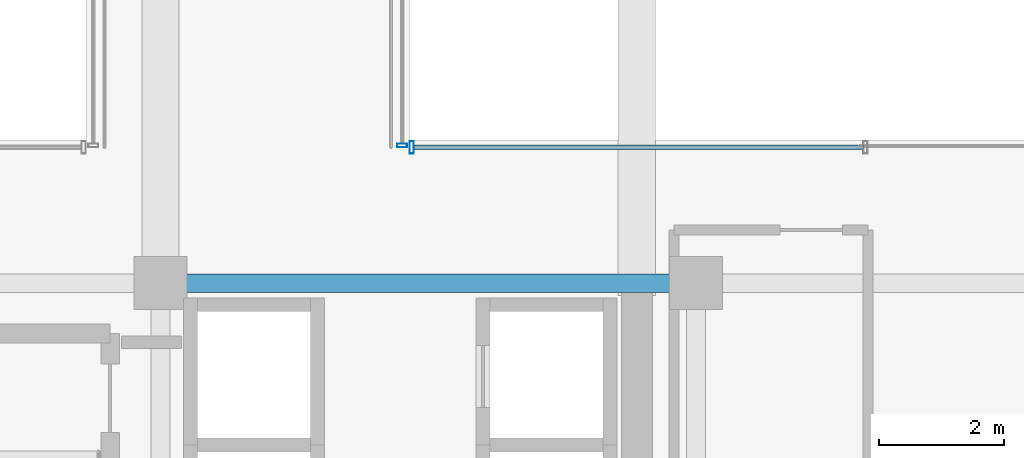
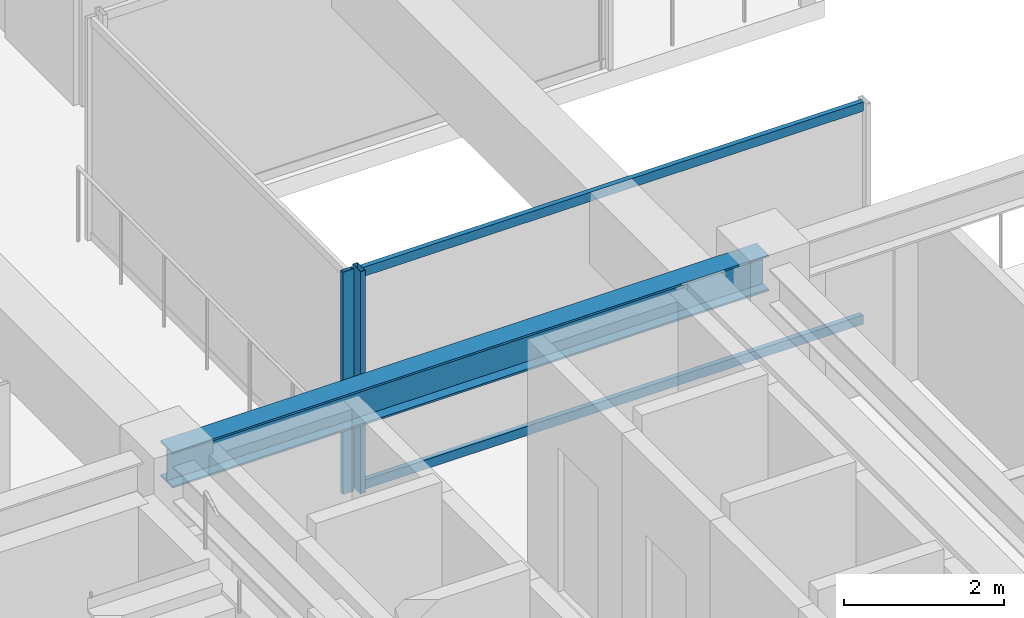
# One storey, part 15 of 38: 4 members, 1 beam, 2 elements without a shape of their own.
"""IFC4 building model written with IfcOpenShell, lengths in metres."""

from ifc_helpers import new_model, si_unit, direction, frame, origin, origin_2d, place, context, subcontext, project, spatial, hollow_rectangle, i_section, extrude, source, transform, mapped, material, material_profile, profile_set, type_object, element, aggregate, save


model = new_model("IFC4")

# Units and contexts
model_context = context("Model", 3, precision=1e-05, world=origin(), true_north=direction((0.0, 1.0)))
body_context = subcontext(model_context, "Body", "Model", "MODEL_VIEW")
ifc_project = project(units=[si_unit("LENGTHUNIT", "METRE"), si_unit("AREAUNIT", "SQUARE_METRE"), si_unit("VOLUMEUNIT", "CUBIC_METRE"), si_unit("PLANEANGLEUNIT", "RADIAN"), si_unit("MASSUNIT", "GRAM", prefix="KILO")], contexts=[model_context])

# Site, building, storey
site_placement = place(None, origin())
site = spatial("IfcSite", under=ifc_project, at=site_placement, CompositionType="ELEMENT")
building_placement = place(site_placement, origin())
building = spatial("IfcBuilding", under=site, at=building_placement, Name="Nahalor Promenade Grand Hotel", CompositionType="ELEMENT")
storey_placement = place(building_placement, frame((0.0, 0.0, 163.60009765625)))
storey = spatial("IfcBuildingStorey", under=building, at=storey_placement, Name="L41", CompositionType="ELEMENT", Elevation=163.60009765625)

# Beam
ifc_material_1 = material(Name="Steel S355JR", Category="steel")
ifc_material_profile_1 = material_profile(ifc_material_1, i_section(OverallWidth=0.3, OverallDepth=0.55, WebThickness=0.015, FlangeThickness=0.029, at=origin_2d()), Name="HEB 550")
ifc_profile_set_1 = profile_set([ifc_material_profile_1], Name="Steel S355JR")
beam_type = type_object("IfcBeamType", Name="Beam-Girder-HEB550", PredefinedType="BEAM", material=ifc_profile_set_1)
shared_shape_1 = source(origin(), body_context, "Body", "SweptSolid", [
    extrude(i_section(OverallWidth=0.3, OverallDepth=0.55, WebThickness=0.015, FlangeThickness=0.029, at=origin_2d()), origin(), (0.0, 0.0, 1.0), 8.60009765625),
])
beam_placement = place(storey_placement, frame((8.39990234375, -5.39990234375, 3.114990234375), z_axis=(1.0, 0.0, 0.0), x_axis=(0.0, 1.0, 0.0)))
element("IfcBeam", 1, at=beam_placement, inside=storey, type_object=beam_type, Name="BM-L41-GX-1-5", PredefinedType="BEAM", context=body_context, shape_type="MappedRepresentation", body=[
    mapped(shared_shape_1, transform((0.0, 0.0, 0.0), scale=1.0)),
])

# Curtain wall, members
ifc_material_2 = material(Name="Anodised Bronze Aluminium EN AW-6063 T6", Category="aluminium")
curtain_wall_type_1 = type_object("IfcCurtainWallType", Name="CW3 Elliptical-Void Collar Unitised Curtain Wall", PredefinedType="USERDEFINED", material=ifc_material_2)
curtain_wall_1_placement = place(storey_placement, origin())
curtain_wall_1 = element("IfcCurtainWall", 2, at=curtain_wall_1_placement, inside=storey, type_object=curtain_wall_type_1, Name="L41 Curtain Wall CW-L41-VOID-ES1", ObjectType="UNITISED_CURTAIN_WALL", PredefinedType="USERDEFINED")
ifc_material_profile_2 = material_profile(ifc_material_2, hollow_rectangle(XDim=0.07, YDim=0.14, WallThickness=0.004, at=origin_2d()), Name="CWT 70x140x4")
ifc_profile_set_2 = profile_set([ifc_material_profile_2], Name="Anodised Bronze Aluminium EN AW-6063 T6")
member_type_1 = type_object("IfcMemberType", Name="CWT3 Void Collar Transom 70x140", PredefinedType="USERDEFINED", material=ifc_profile_set_2)
shared_shape_2 = source(origin(), body_context, "Body", "SweptSolid", [
    extrude(hollow_rectangle(XDim=0.07, YDim=0.14, WallThickness=0.004, at=origin_2d()), origin(), (0.0, 0.0, 1.0), 7.219970703125),
])
member_1_placement = place(storey_placement, frame((12.469970703125, -3.219970703125, 0.06982421875), z_axis=(1.0, 0.0, 0.0), x_axis=(0.0, 1.0, 0.0)))
member_1 = element("IfcMember", 3, at=member_1_placement, type_object=member_type_1, Name="CW-L41-VOID-ES1 Transom 0-0", ObjectType="TRANSOM", PredefinedType="USERDEFINED", context=body_context, shape_type="MappedRepresentation", body=[
    mapped(shared_shape_2, transform((0.0, 0.0, 0.0), scale=1.0)),
])
member_2_placement = place(storey_placement, frame((12.469970703125, -3.219970703125, 3.31982421875), z_axis=(1.0, 0.0, 0.0), x_axis=(0.0, 1.0, 0.0)))
member_2 = element("IfcMember", 4, at=member_2_placement, type_object=member_type_1, Name="CW-L41-VOID-ES1 Transom 0-1", ObjectType="TRANSOM", PredefinedType="USERDEFINED", context=body_context, shape_type="MappedRepresentation", body=[
    mapped(shared_shape_2, transform((0.0, 0.0, 0.0), scale=1.0)),
])
ifc_material_profile_3 = material_profile(ifc_material_2, hollow_rectangle(XDim=0.07, YDim=0.2, WallThickness=0.005, at=origin_2d()), Name="CWM 70x200x5")
ifc_profile_set_3 = profile_set([ifc_material_profile_3], Name="Anodised Bronze Aluminium EN AW-6063 T6")
member_type_2 = type_object("IfcMemberType", Name="CWM3 Void Collar Mullion 70x200", PredefinedType="MULLION", material=ifc_profile_set_3)
shared_shape_3 = source(origin(), body_context, "Body", "SweptSolid", [
    extrude(hollow_rectangle(XDim=0.07, YDim=0.2, WallThickness=0.005, at=origin_2d()), origin(), (0.0, 0.0, 1.0), 3.389892578125),
])
member_3_placement = place(storey_placement, frame((12.43505859375, -3.219970703125, 0.0), z_axis=(0.0, 0.0, 1.0), x_axis=(1.0, 0.0, 0.0)))
member_3 = element("IfcMember", 5, at=member_3_placement, type_object=member_type_2, Name="CW-L41-VOID-ES1 Mullion 0", PredefinedType="MULLION", context=body_context, shape_type="MappedRepresentation", body=[
    mapped(shared_shape_3, transform((0.0, 0.0, 0.0), scale=1.0)),
])
aggregate(curtain_wall_1, [member_3, member_1, member_2])

# Curtain wall, member
curtain_wall_type_2 = type_object("IfcCurtainWallType", Name="CW4 Low-Iron Sky-Gallery Bridge Curtain Wall", PredefinedType="USERDEFINED", material=ifc_material_2)
curtain_wall_2_placement = place(storey_placement, origin())
curtain_wall_2 = element("IfcCurtainWall", 6, at=curtain_wall_2_placement, inside=storey, type_object=curtain_wall_type_2, Name="L41 Curtain Wall CW-L41-BRG-E", ObjectType="UNITISED_CURTAIN_WALL", PredefinedType="USERDEFINED")
ifc_material_profile_4 = material_profile(ifc_material_2, hollow_rectangle(XDim=0.06, YDim=0.16, WallThickness=0.004, at=origin_2d()), Name="CWM 60x160x4")
ifc_profile_set_4 = profile_set([ifc_material_profile_4], Name="Anodised Bronze Aluminium EN AW-6063 T6")
member_type_3 = type_object("IfcMemberType", Name="CWM4 Sky-Gallery Slim Mullion 60x160", PredefinedType="MULLION", material=ifc_profile_set_4)
shared_shape_4 = source(origin(), body_context, "Body", "SweptSolid", [
    extrude(hollow_rectangle(XDim=0.06, YDim=0.16, WallThickness=0.004, at=origin_2d()), origin(), (0.0, 0.0, 1.0), 3.389892578125),
])
member_4_placement = place(storey_placement, frame((12.280029296875, -3.18994140625, 0.0), z_axis=(0.0, 0.0, 1.0), x_axis=(0.0, 1.0, 0.0)))
member_4 = element("IfcMember", 7, at=member_4_placement, type_object=member_type_3, Name="CW-L41-BRG-E Mullion 0", PredefinedType="MULLION", context=body_context, shape_type="MappedRepresentation", body=[
    mapped(shared_shape_4, transform((0.0, 0.0, 0.0), scale=1.0)),
])
aggregate(curtain_wall_2, [member_4])

save(model, "model.ifc")
